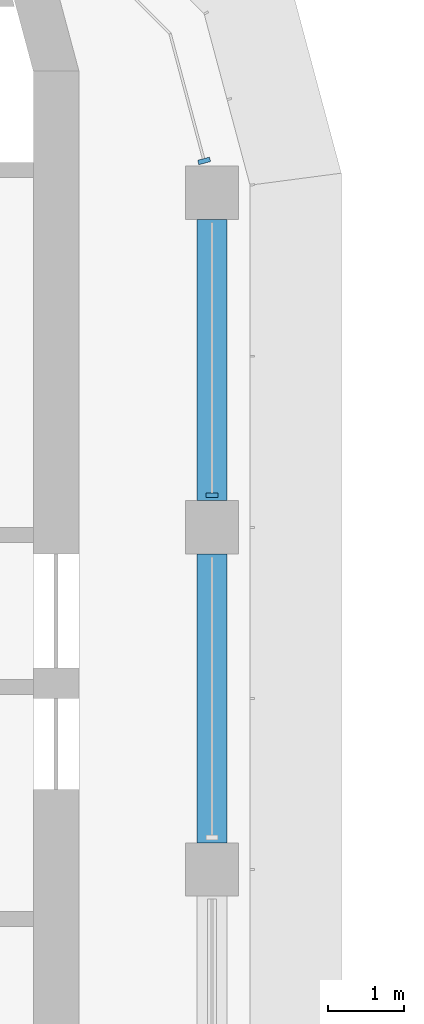
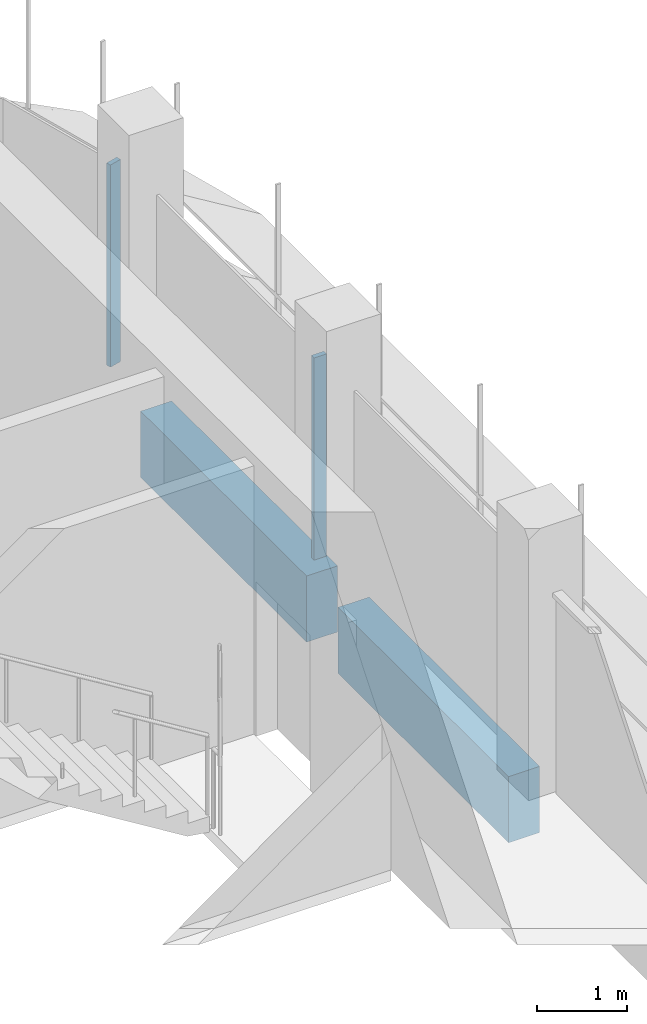
# One storey, part 10 of 19: 2 beams, 2 members, 2 elements without a shape of their own.
"""IFC4 building model written with IfcOpenShell, lengths in metres."""

from ifc_helpers import new_model, si_unit, direction, frame, origin, origin_2d, place, context, subcontext, project, spatial, polyline, rectangle, outline, extrude, source, transform, mapped, material, material_profile, profile_set, type_object, element, aggregate, save


model = new_model("IFC4")

# Units and contexts
model_context = context("Model", 3, precision=1e-05, world=origin(), true_north=direction((0.0, 1.0)))
body_context = subcontext(model_context, "Body", "Model", "MODEL_VIEW")
ifc_project = project(units=[si_unit("LENGTHUNIT", "METRE"), si_unit("AREAUNIT", "SQUARE_METRE"), si_unit("VOLUMEUNIT", "CUBIC_METRE"), si_unit("PLANEANGLEUNIT", "RADIAN"), si_unit("MASSUNIT", "GRAM", prefix="KILO")], contexts=[model_context])

# Site, building, storey
site_placement = place(None, origin())
site = spatial("IfcSite", under=ifc_project, at=site_placement, CompositionType="ELEMENT")
building_placement = place(site_placement, origin())
building = spatial("IfcBuilding", under=site, at=building_placement, Name="Zarbagh Exchange Tower", CompositionType="ELEMENT")
storey_placement = place(building_placement, frame((0.0, 0.0, 241.0)))
storey = spatial("IfcBuildingStorey", under=building, at=storey_placement, Name="L59", CompositionType="ELEMENT", Elevation=241.0)

# Beams
ifc_material_1 = material(Name="Concrete C50/60", Category="concrete")
ifc_material_profile = material_profile(ifc_material_1, rectangle(XDim=0.39990234375, YDim=0.89990234375, at=origin_2d()), Name="RC spandrel beam 400 x 900 C50/60")
ifc_profile_set = profile_set([ifc_material_profile], Name="Concrete C50/60")
beam_type = type_object("IfcBeamType", Name="RC spandrel beam 400 x 900 C50/60", PredefinedType="SPANDREL", material=ifc_profile_set)
beam_1_placement = place(storey_placement, frame((6.25, 24.300048828125, -0.60009765625), z_axis=(0.0, -1.0, 0.0), x_axis=(1.0, 0.0, 0.0)))
element("IfcBeam", 1, at=beam_1_placement, inside=storey, type_object=beam_type, Name="RC spandrel beam", PredefinedType="SPANDREL", context=body_context, shape_type="SweptSolid", body=[
    extrude(rectangle(XDim=0.39990234375, YDim=0.89990234375, at=origin_2d()), origin(), (0.0, 0.0, 1.0), 3.699951171875),
])
beam_2_placement = place(storey_placement, frame((6.25, 19.89990234375, -0.60009765625), z_axis=(0.0, -1.0, 0.0), x_axis=(1.0, 0.0, 0.0)))
element("IfcBeam", 2, at=beam_2_placement, inside=storey, type_object=beam_type, Name="RC spandrel beam", PredefinedType="SPANDREL", context=body_context, shape_type="SweptSolid", body=[
    extrude(rectangle(XDim=0.39990234375, YDim=0.89990234375, at=origin_2d()), origin(), (0.0, 0.0, 1.0), 3.7998046875),
])

# Curtain wall, member
ifc_material_2 = material(Name="Anodised aluminium frame and glazing", Category="aluminium")
curtain_wall_type = type_object("IfcCurtainWallType", Name="CWB Ribbon glazing, upper zones", PredefinedType="NOTDEFINED", material=ifc_material_2)
curtain_wall_1_placement = place(storey_placement, origin())
curtain_wall_1 = element("IfcCurtainWall", 3, at=curtain_wall_1_placement, inside=storey, type_object=curtain_wall_type, Name="CWB67 curtain wall", PredefinedType="NOTDEFINED")
ifc_material_3 = material(Name="Anodised aluminium frame", Category="aluminium")
member_type = type_object("IfcMemberType", Name="MUB Mullion, anodised aluminium frame", PredefinedType="MULLION", material=ifc_material_3)
shared_shape = source(origin(), body_context, "Body", "SweptSolid", [
    extrude(outline(polyline([(0.0, -0.080078125), (0.06005859375, -0.080078125), (0.06005859375, 0.080078125), (0.0, 0.080078125), (0.0, -0.080078125)])), origin(), (0.0, 0.0, 1.0), 2.75),
])
placement = place(storey_placement, origin())
member_1 = element("IfcMember", 4, at=placement, type_object=member_type, Name="CWB67 mullion 3.1", PredefinedType="MULLION", context=body_context, shape_type="MappedRepresentation", body=[
    mapped(shared_shape, transform((6.25, 20.64013671875, 0.0), x_axis=(0.0, 1.0, 0.0), y_axis=(-1.0, 0.0, 0.0), z_axis=(0.0, 0.0, 1.0))),
])
aggregate(curtain_wall_1, [member_1])

curtain_wall_2_placement = place(storey_placement, origin())
curtain_wall_2 = element("IfcCurtainWall", 5, at=curtain_wall_2_placement, inside=storey, type_object=curtain_wall_type, Name="CWB68 curtain wall", PredefinedType="NOTDEFINED")
member_2 = element("IfcMember", 6, at=placement, type_object=member_type, Name="CWB68 mullion 1.1", PredefinedType="MULLION", context=body_context, shape_type="MappedRepresentation", body=[
    mapped(shared_shape, transform((6.154541015625, 25.0400390625, 0.0), x_axis=(-0.258824779902, 0.965924289636, 0.0), y_axis=(-0.965924289636, -0.258824779902, 0.0), z_axis=(0.0, 0.0, 1.0))),
])
aggregate(curtain_wall_2, [member_2])

save(model, "model.ifc")
